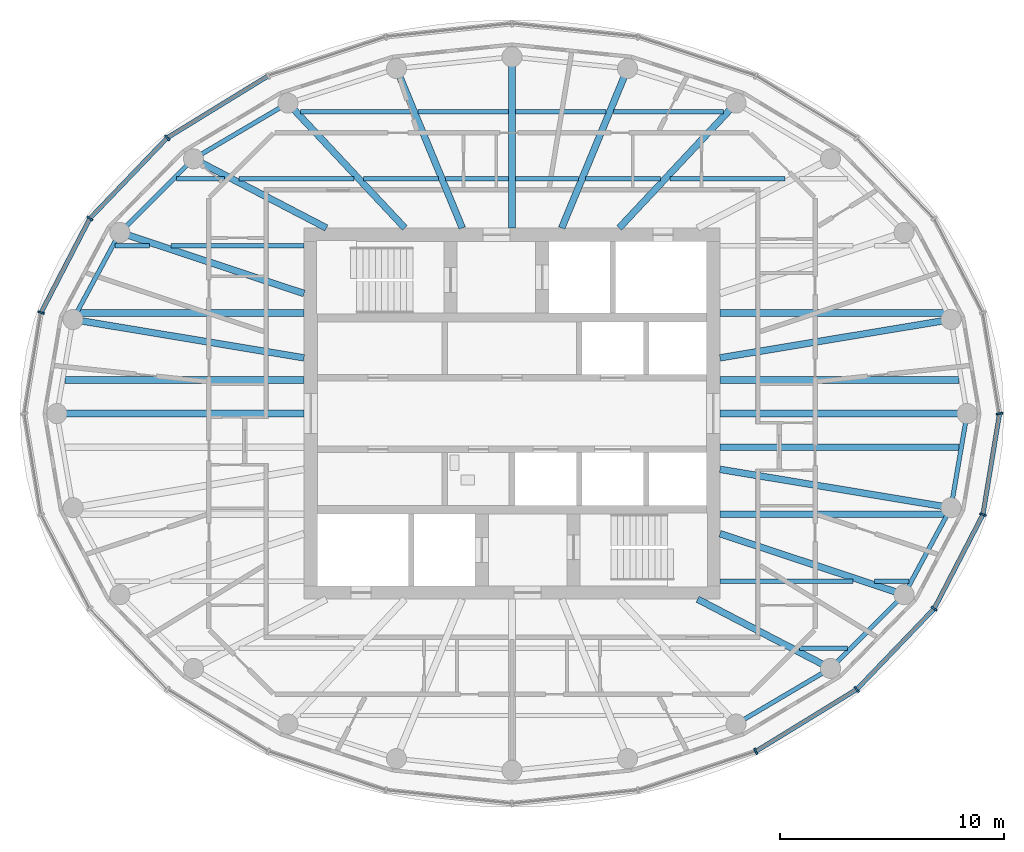
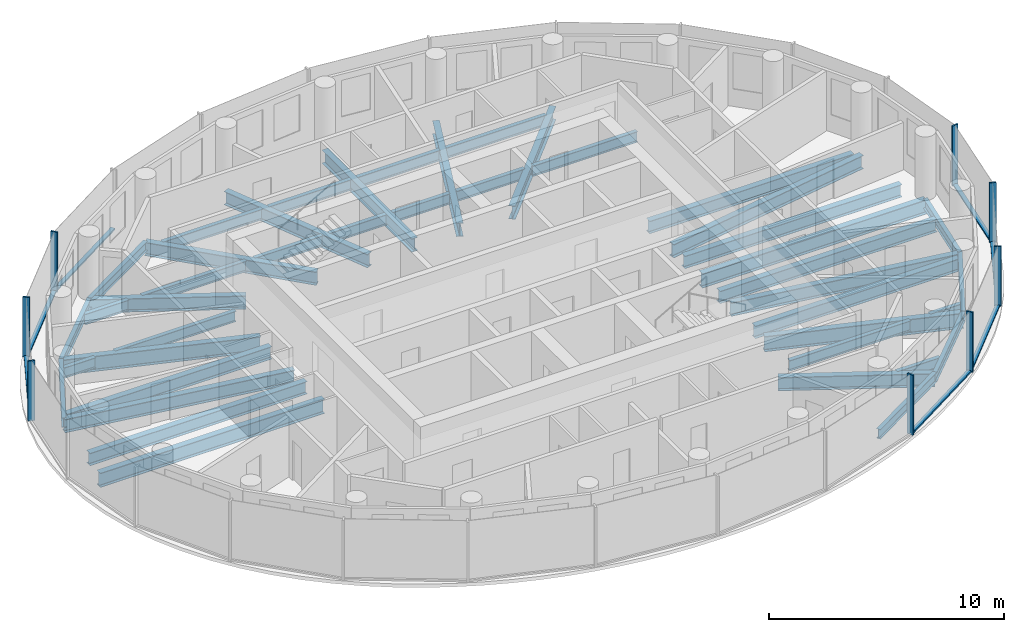
# One storey, part 2 of 12: 43 beams, 15 members, 3 elements without a shape of their own.
"""IFC4 building model written with IfcOpenShell, lengths in metres."""

from ifc_helpers import new_model, si_unit, direction, frame, origin, origin_2d, place, context, subcontext, project, spatial, rectangle, i_section, extrude, material, material_profile, profile_set, type_object, element, aggregate, save


model = new_model("IFC4")

# Units and contexts
model_context = context("Model", 3, precision=1e-05, world=origin(), true_north=direction((0.0, 1.0)))
body_context = subcontext(model_context, "Body", "Model", "MODEL_VIEW")
ifc_project = project(units=[si_unit("LENGTHUNIT", "METRE"), si_unit("AREAUNIT", "SQUARE_METRE"), si_unit("VOLUMEUNIT", "CUBIC_METRE"), si_unit("PLANEANGLEUNIT", "RADIAN"), si_unit("MASSUNIT", "GRAM", prefix="KILO")], contexts=[model_context])

# Site, building, storey
site_placement = place(None, origin())
site = spatial("IfcSite", under=ifc_project, at=site_placement, CompositionType="ELEMENT")
building_placement = place(site_placement, origin())
building = spatial("IfcBuilding", under=site, at=building_placement, Name="Hankou Lantern Tower", CompositionType="ELEMENT")
storey_placement = place(building_placement, frame((0.0, 0.0, 216.0)))
storey = spatial("IfcBuildingStorey", under=building, at=storey_placement, Name="L58", CompositionType="ELEMENT", Elevation=216.0)

# Beams
ifc_material_1 = material(Name="Steel Q355B", Category="steel")
ifc_material_profile_1 = material_profile(ifc_material_1, i_section(OverallWidth=0.199951171875, OverallDepth=0.5, WebThickness=0.010009765625, FlangeThickness=0.01611328125, FilletRadius=0.012939453125, at=origin_2d()), Name="HN500x200x10x16")
ifc_profile_set_1 = profile_set([ifc_material_profile_1], Name="Steel Q355B")
beam_type_1 = type_object("IfcBeamType", Name="EB5 RING BEAM HN500x200x10x16", PredefinedType="SPANDREL", material=ifc_profile_set_1)
beam_1_placement = place(storey_placement, frame((-10.01904296875, 13.8828125, -0.429931640625), z_axis=(-0.861422897323, -0.507888365655, 0.0), x_axis=(0.507888365655, -0.861422897323, 0.0)))
element("IfcBeam", 1, at=beam_1_placement, inside=storey, type_object=beam_type_1, Name="Ring beam R09-R10 L58", PredefinedType="SPANDREL", context=body_context, shape_type="SweptSolid", body=[
    extrude(i_section(OverallWidth=0.199951171875, OverallDepth=0.5, WebThickness=0.010009765625, FlangeThickness=0.01611328125, FilletRadius=0.012939453125, at=origin_2d()), origin(), (0.0, 0.0, 1.0), 4.901611328125),
])
beam_2_placement = place(storey_placement, frame((-14.241455078125, 11.393310546875, -0.429931640625), z_axis=(-0.706608588034, -0.707604623583, 0.0), x_axis=(0.707604623583, -0.706608588034, 0.0)))
element("IfcBeam", 2, at=beam_2_placement, inside=storey, type_object=beam_type_1, Name="Ring beam R10-R11 L58", PredefinedType="SPANDREL", context=body_context, shape_type="SweptSolid", body=[
    extrude(i_section(OverallWidth=0.199951171875, OverallDepth=0.5, WebThickness=0.010009765625, FlangeThickness=0.01611328125, FilletRadius=0.012939453125, at=origin_2d()), origin(), (0.0, 0.0, 1.0), 4.6572265625),
])
beam_3_placement = place(storey_placement, frame((-17.5322265625, 8.097900390625, -0.429931640625), z_axis=(-0.474491806611, -0.880259919262, 0.0), x_axis=(0.880259919262, -0.474491806611, 0.0)))
element("IfcBeam", 3, at=beam_3_placement, inside=storey, type_object=beam_type_1, Name="Ring beam R11-R12 L58", PredefinedType="SPANDREL", context=body_context, shape_type="SweptSolid", body=[
    extrude(i_section(OverallWidth=0.199951171875, OverallDepth=0.5, WebThickness=0.010009765625, FlangeThickness=0.01611328125, FilletRadius=0.012939453125, at=origin_2d()), origin(), (0.0, 0.0, 1.0), 4.419189453125),
])
beam_4_placement = place(storey_placement, frame((10.01904296875, -13.8828125, -0.429931640625), z_axis=(0.861422897323, 0.507888365655, 0.0), x_axis=(-0.507888365655, 0.861422897323, 0.0)))
element("IfcBeam", 4, at=beam_4_placement, inside=storey, type_object=beam_type_1, Name="Ring beam R21-R22 L58", PredefinedType="SPANDREL", context=body_context, shape_type="SweptSolid", body=[
    extrude(i_section(OverallWidth=0.199951171875, OverallDepth=0.5, WebThickness=0.010009765625, FlangeThickness=0.01611328125, FilletRadius=0.012939453125, at=origin_2d()), origin(), (0.0, 0.0, 1.0), 4.901611328125),
])
beam_5_placement = place(storey_placement, frame((14.241455078125, -11.393310546875, -0.429931640625), z_axis=(0.706608588034, 0.707604623583, 0.0), x_axis=(-0.707604623583, 0.706608588034, 0.0)))
element("IfcBeam", 5, at=beam_5_placement, inside=storey, type_object=beam_type_1, Name="Ring beam R22-R23 L58", PredefinedType="SPANDREL", context=body_context, shape_type="SweptSolid", body=[
    extrude(i_section(OverallWidth=0.199951171875, OverallDepth=0.5, WebThickness=0.010009765625, FlangeThickness=0.01611328125, FilletRadius=0.012939453125, at=origin_2d()), origin(), (0.0, 0.0, 1.0), 4.6572265625),
])
beam_6_placement = place(storey_placement, frame((17.5322265625, -8.097900390625, -0.429931640625), z_axis=(0.474491806611, 0.880259919262, 0.0), x_axis=(-0.880259919262, 0.474491806611, 0.0)))
element("IfcBeam", 6, at=beam_6_placement, inside=storey, type_object=beam_type_1, Name="Ring beam R23-R24 L58", PredefinedType="SPANDREL", context=body_context, shape_type="SweptSolid", body=[
    extrude(i_section(OverallWidth=0.199951171875, OverallDepth=0.5, WebThickness=0.010009765625, FlangeThickness=0.01611328125, FilletRadius=0.012939453125, at=origin_2d()), origin(), (0.0, 0.0, 1.0), 4.419189453125),
])
beam_7_placement = place(storey_placement, frame((19.629150390625, -4.207763671875, -0.429931640625), z_axis=(0.168876512999, 0.98563721691, 0.0), x_axis=(-0.98563721691, 0.168876512999, 0.0)))
element("IfcBeam", 7, at=beam_7_placement, inside=storey, type_object=beam_type_1, Name="Ring beam R24-R01 L58", PredefinedType="SPANDREL", context=body_context, shape_type="SweptSolid", body=[
    extrude(i_section(OverallWidth=0.199951171875, OverallDepth=0.5, WebThickness=0.010009765625, FlangeThickness=0.01611328125, FilletRadius=0.012939453125, at=origin_2d()), origin(), (0.0, 0.0, 1.0), 4.26904296875),
])

# Curtain wall, member
ifc_material_2 = material(Name="Glass, dark grey tinted laminated", Category="glass")
curtain_wall_type = type_object("IfcCurtainWallType", Name="CWD OUTER SKIN SUITE", PredefinedType="USERDEFINED", material=ifc_material_2)
curtain_wall_1_placement = place(storey_placement, origin())
curtain_wall_1 = element("IfcCurtainWall", 8, at=curtain_wall_1_placement, inside=storey, type_object=curtain_wall_type, Name="CWD L58 OS1", ObjectType="OUTER SKIN SUITE", PredefinedType="USERDEFINED")
ifc_material_3 = material(Name="Aluminium, black anodised", Category="aluminium")
ifc_material_profile_2 = material_profile(ifc_material_3, rectangle(XDim=0.080078125, YDim=0.300048828125, at=origin_2d()), Name="MU1 80X300")
ifc_profile_set_2 = profile_set([ifc_material_profile_2], Name="Aluminium, black anodised")
member_type_1 = type_object("IfcMemberType", Name="MU1 OUTER SKIN MULLION 80X300", PredefinedType="MULLION", material=ifc_profile_set_2)
member_1_placement = place(storey_placement, frame((21.800048828125, 0.0, 0.0), z_axis=(0.0, 0.0, 1.0), x_axis=(-0.162381515188, 0.986728049427, 0.0)))
member_1 = element("IfcMember", 9, at=member_1_placement, type_object=member_type_1, Name="CWD mullion 1", PredefinedType="MULLION", context=body_context, shape_type="SweptSolid", body=[
    extrude(rectangle(XDim=0.080078125, YDim=0.300048828125, at=origin_2d()), origin(), (0.0, 0.0, 1.0), 3.1201171875),
])
aggregate(curtain_wall_1, [member_1])

# Curtain wall, members
curtain_wall_2_placement = place(storey_placement, origin())
curtain_wall_2 = element("IfcCurtainWall", 10, at=curtain_wall_2_placement, inside=storey, type_object=curtain_wall_type, Name="CWD L58 OS2", ObjectType="OUTER SKIN SUITE", PredefinedType="USERDEFINED")
member_2_placement = place(storey_placement, frame((-15.4150390625, 12.33203125, 0.0), z_axis=(0.0, 0.0, 1.0), x_axis=(-0.780868809444, -0.624695047553, 0.0)))
member_2 = element("IfcMember", 11, at=member_2_placement, type_object=member_type_1, Name="CWD mullion 4", PredefinedType="MULLION", context=body_context, shape_type="SweptSolid", body=[
    extrude(rectangle(XDim=0.080078125, YDim=0.300048828125, at=origin_2d()), origin(), (0.0, 0.0, 1.0), 3.1201171875),
])
member_3_placement = place(storey_placement, frame((-18.87939453125, 8.719970703125, 0.0), z_axis=(0.0, 0.0, 1.0), x_axis=(-0.585205735974, -0.810884854084, 0.0)))
member_3 = element("IfcMember", 12, at=member_3_placement, type_object=member_type_1, Name="CWD mullion 5", PredefinedType="MULLION", context=body_context, shape_type="SweptSolid", body=[
    extrude(rectangle(XDim=0.080078125, YDim=0.300048828125, at=origin_2d()), origin(), (0.0, 0.0, 1.0), 3.1201171875),
])
member_4_placement = place(storey_placement, frame((-21.05712890625, 4.513916015625, 0.0), z_axis=(0.0, 0.0, 1.0), x_axis=(-0.317595577365, -0.94822626479, 0.0)))
member_4 = element("IfcMember", 13, at=member_4_placement, type_object=member_type_1, Name="CWD mullion 6", PredefinedType="MULLION", context=body_context, shape_type="SweptSolid", body=[
    extrude(rectangle(XDim=0.080078125, YDim=0.300048828125, at=origin_2d()), origin(), (0.0, 0.0, 1.0), 3.1201171875),
])

curtain_wall_3_placement = place(storey_placement, origin())
curtain_wall_3 = element("IfcCurtainWall", 14, at=curtain_wall_3_placement, inside=storey, type_object=curtain_wall_type, Name="CWD L58 OS4", ObjectType="OUTER SKIN SUITE", PredefinedType="USERDEFINED")
member_5_placement = place(storey_placement, frame((10.89990234375, -15.103515625, 0.0), z_axis=(0.0, 0.0, 1.0), x_axis=(0.907841299004, 0.419313934686, 0.0)))
member_5 = element("IfcMember", 15, at=member_5_placement, type_object=member_type_1, Name="CWD mullion 3", PredefinedType="MULLION", context=body_context, shape_type="SweptSolid", body=[
    extrude(rectangle(XDim=0.080078125, YDim=0.300048828125, at=origin_2d()), origin(), (0.0, 0.0, 1.0), 3.1201171875),
])
member_6_placement = place(storey_placement, frame((15.4150390625, -12.33203125, 0.0), z_axis=(0.0, 0.0, 1.0), x_axis=(0.780868809444, 0.624695047553, 0.0)))
member_6 = element("IfcMember", 16, at=member_6_placement, type_object=member_type_1, Name="CWD mullion 4", PredefinedType="MULLION", context=body_context, shape_type="SweptSolid", body=[
    extrude(rectangle(XDim=0.080078125, YDim=0.300048828125, at=origin_2d()), origin(), (0.0, 0.0, 1.0), 3.1201171875),
])
member_7_placement = place(storey_placement, frame((18.87939453125, -8.719970703125, 0.0), z_axis=(0.0, 0.0, 1.0), x_axis=(0.585205735974, 0.810884854084, 0.0)))
member_7 = element("IfcMember", 17, at=member_7_placement, type_object=member_type_1, Name="CWD mullion 5", PredefinedType="MULLION", context=body_context, shape_type="SweptSolid", body=[
    extrude(rectangle(XDim=0.080078125, YDim=0.300048828125, at=origin_2d()), origin(), (0.0, 0.0, 1.0), 3.1201171875),
])
member_8_placement = place(storey_placement, frame((21.05712890625, -4.513916015625, 0.0), z_axis=(0.0, 0.0, 1.0), x_axis=(0.317595577365, 0.94822626479, 0.0)))
member_8 = element("IfcMember", 18, at=member_8_placement, type_object=member_type_1, Name="CWD mullion 6", PredefinedType="MULLION", context=body_context, shape_type="SweptSolid", body=[
    extrude(rectangle(XDim=0.080078125, YDim=0.300048828125, at=origin_2d()), origin(), (0.0, 0.0, 1.0), 3.1201171875),
])

# Beams
ifc_material_4 = material(Name="Steel Q355B", Category="steel")
ifc_material_profile_3 = material_profile(ifc_material_4, i_section(OverallWidth=0.300048828125, OverallDepth=0.75, WebThickness=0.012939453125, FlangeThickness=0.02392578125, FilletRadius=0.01806640625, at=origin_2d()), Name="HN750x300x13x24")
ifc_profile_set_3 = profile_set([ifc_material_profile_3], Name="Steel Q355B")
beam_type_2 = type_object("IfcBeamType", Name="RB10 RADIAL BEAM HN750x300x13x24", PredefinedType="BEAM", material=ifc_profile_set_3)
for number, where, z_axis, x_axis, name in (
    (19, (9.300048828125, 0.0, -0.554931640625), (1.0, 0.0, 0.0), (0.0, 1.0, 0.0), "Radial beam R01 L58"),
    (20, (-9.300048828125, 0.0, -0.554931640625), (-1.0, 0.0, 0.0), (0.0, -1.0, 0.0), "Radial beam R13 L58"),
):
    element("IfcBeam", number, at=place(storey_placement, frame(where, z_axis=z_axis, x_axis=x_axis)), inside=storey, type_object=beam_type_2, Name=name, PredefinedType="BEAM", context=body_context, shape_type="SweptSolid", body=[
        extrude(i_section(OverallWidth=0.300048828125, OverallDepth=0.75, WebThickness=0.012939453125, FlangeThickness=0.02392578125, FilletRadius=0.01806640625, at=origin_2d()), origin(), (0.0, 0.0, 1.0), 11.050048828125),
    ])
ifc_material_5 = material(Name="Steel Q355B", Category="steel")
ifc_material_profile_4 = material_profile(ifc_material_5, i_section(OverallWidth=0.300048828125, OverallDepth=0.800048828125, WebThickness=0.013916015625, FlangeThickness=0.02587890625, FilletRadius=0.01806640625, at=origin_2d()), Name="HN800x300x14x26")
ifc_profile_set_4 = profile_set([ifc_material_profile_4], Name="Steel Q355B")
beam_type_3 = type_object("IfcBeamType", Name="RB11 RADIAL BEAM HN800x300x14x26", PredefinedType="BEAM", material=ifc_profile_set_4)
for number, where, z_axis, x_axis, name in (
    (21, (-9.300048828125, 5.369384765625, -0.580078125), (-0.949219608576, 0.314614263337, 0.0), (-0.314614263337, -0.949219608576, 0.0), "Radial beam R11 L58"),
    (22, (9.300048828125, -5.369384765625, -0.580078125), (0.949219608576, -0.314614263337, 0.0), (0.314614263337, 0.949219608576, 0.0), "Radial beam R23 L58"),
):
    element("IfcBeam", number, at=place(storey_placement, frame(where, z_axis=z_axis, x_axis=x_axis)), inside=storey, type_object=beam_type_3, Name=name, PredefinedType="BEAM", context=body_context, shape_type="SweptSolid", body=[
        extrude(i_section(OverallWidth=0.300048828125, OverallDepth=0.800048828125, WebThickness=0.013916015625, FlangeThickness=0.02587890625, FilletRadius=0.01806640625, at=origin_2d()), origin(), (0.0, 0.0, 1.0), 8.672607421875),
    ])
ifc_material_6 = material(Name="Steel Q355B", Category="steel")
ifc_material_profile_5 = material_profile(ifc_material_6, i_section(OverallWidth=0.300048828125, OverallDepth=0.699951171875, WebThickness=0.012939453125, FlangeThickness=0.02392578125, FilletRadius=0.01806640625, at=origin_2d()), Name="HN700x300x13x24")
ifc_profile_set_5 = profile_set([ifc_material_profile_5], Name="Steel Q355B")
beam_type_4 = type_object("IfcBeamType", Name="RB9 RADIAL BEAM HN700x300x13x24", PredefinedType="BEAM", material=ifc_profile_set_5)
beam_8_placement = place(storey_placement, frame((9.300048828125, 2.491943359375, -0.530029296875), z_axis=(0.986482007061, 0.163869612027, 0.0), x_axis=(-0.163869612027, 0.986482007061, 0.0)))
element("IfcBeam", 23, at=beam_8_placement, inside=storey, type_object=beam_type_4, Name="Radial beam R02 L58", PredefinedType="BEAM", context=body_context, shape_type="SweptSolid", body=[
    extrude(i_section(OverallWidth=0.300048828125, OverallDepth=0.699951171875, WebThickness=0.012939453125, FlangeThickness=0.02392578125, FilletRadius=0.01806640625, at=origin_2d()), origin(), (0.0, 0.0, 1.0), 10.470703125),
])
beam_9_placement = place(storey_placement, frame((4.7919921875, 8.300048828125, -0.530029296875), z_axis=(0.68346844743, 0.729980055459, 0.0), x_axis=(-0.729980055459, 0.68346844743, 0.0)))
element("IfcBeam", 24, at=beam_9_placement, inside=storey, type_object=beam_type_4, Name="Radial beam R05 L58", PredefinedType="BEAM", context=body_context, shape_type="SweptSolid", body=[
    extrude(i_section(OverallWidth=0.300048828125, OverallDepth=0.699951171875, WebThickness=0.012939453125, FlangeThickness=0.02392578125, FilletRadius=0.01806640625, at=origin_2d()), origin(), (0.0, 0.0, 1.0), 7.64794921875),
])
beam_10_placement = place(storey_placement, frame((2.223876953125, 8.300048828125, -0.530029296875), z_axis=(0.381706648123, 0.924283525104, 0.0), x_axis=(-0.924283525104, 0.381706648123, 0.0)))
element("IfcBeam", 25, at=beam_10_placement, inside=storey, type_object=beam_type_4, Name="Radial beam R06 L58", PredefinedType="BEAM", context=body_context, shape_type="SweptSolid", body=[
    extrude(i_section(OverallWidth=0.300048828125, OverallDepth=0.699951171875, WebThickness=0.012939453125, FlangeThickness=0.02392578125, FilletRadius=0.01806640625, at=origin_2d()), origin(), (0.0, 0.0, 1.0), 7.7109375),
])
beam_11_placement = place(storey_placement, frame((0.0, 8.300048828125, -0.530029296875), z_axis=(0.0, 1.0, 0.0), x_axis=(-1.0, 0.0, 0.0)))
element("IfcBeam", 26, at=beam_11_placement, inside=storey, type_object=beam_type_4, Name="Radial beam R07 L58", PredefinedType="BEAM", context=body_context, shape_type="SweptSolid", body=[
    extrude(i_section(OverallWidth=0.300048828125, OverallDepth=0.699951171875, WebThickness=0.012939453125, FlangeThickness=0.02392578125, FilletRadius=0.01806640625, at=origin_2d()), origin(), (0.0, 0.0, 1.0), 7.64990234375),
])
beam_12_placement = place(storey_placement, frame((-2.223876953125, 8.300048828125, -0.530029296875), z_axis=(-0.381706648123, 0.924283525104, 0.0), x_axis=(-0.924283525104, -0.381706648123, 0.0)))
element("IfcBeam", 27, at=beam_12_placement, inside=storey, type_object=beam_type_4, Name="Radial beam R08 L58", PredefinedType="BEAM", context=body_context, shape_type="SweptSolid", body=[
    extrude(i_section(OverallWidth=0.300048828125, OverallDepth=0.699951171875, WebThickness=0.012939453125, FlangeThickness=0.02392578125, FilletRadius=0.01806640625, at=origin_2d()), origin(), (0.0, 0.0, 1.0), 7.7109375),
])
beam_13_placement = place(storey_placement, frame((-4.7919921875, 8.300048828125, -0.530029296875), z_axis=(-0.68346844743, 0.729980055459, 0.0), x_axis=(-0.729980055459, -0.68346844743, 0.0)))
element("IfcBeam", 28, at=beam_13_placement, inside=storey, type_object=beam_type_4, Name="Radial beam R09 L58", PredefinedType="BEAM", context=body_context, shape_type="SweptSolid", body=[
    extrude(i_section(OverallWidth=0.300048828125, OverallDepth=0.699951171875, WebThickness=0.012939453125, FlangeThickness=0.02392578125, FilletRadius=0.01806640625, at=origin_2d()), origin(), (0.0, 0.0, 1.0), 7.64794921875),
])
beam_14_placement = place(storey_placement, frame((-8.300048828125, 8.300048828125, -0.530029296875), z_axis=(-0.886988734783, 0.461791061378, 0.0), x_axis=(-0.461791061378, -0.886988734783, 0.0)))
element("IfcBeam", 29, at=beam_14_placement, inside=storey, type_object=beam_type_4, Name="Radial beam R10 L58", PredefinedType="BEAM", context=body_context, shape_type="SweptSolid", body=[
    extrude(i_section(OverallWidth=0.300048828125, OverallDepth=0.699951171875, WebThickness=0.012939453125, FlangeThickness=0.02392578125, FilletRadius=0.01806640625, at=origin_2d()), origin(), (0.0, 0.0, 1.0), 6.698486328125),
])
beam_15_placement = place(storey_placement, frame((-9.300048828125, 2.491943359375, -0.530029296875), z_axis=(-0.986482007061, 0.163869612027, 0.0), x_axis=(-0.163869612027, -0.986482007061, 0.0)))
element("IfcBeam", 30, at=beam_15_placement, inside=storey, type_object=beam_type_4, Name="Radial beam R12 L58", PredefinedType="BEAM", context=body_context, shape_type="SweptSolid", body=[
    extrude(i_section(OverallWidth=0.300048828125, OverallDepth=0.699951171875, WebThickness=0.012939453125, FlangeThickness=0.02392578125, FilletRadius=0.01806640625, at=origin_2d()), origin(), (0.0, 0.0, 1.0), 10.470703125),
])
beam_16_placement = place(storey_placement, frame((8.300048828125, -8.300048828125, -0.530029296875), z_axis=(0.886988734783, -0.461791061378, 0.0), x_axis=(0.461791061378, 0.886988734783, 0.0)))
element("IfcBeam", 31, at=beam_16_placement, inside=storey, type_object=beam_type_4, Name="Radial beam R22 L58", PredefinedType="BEAM", context=body_context, shape_type="SweptSolid", body=[
    extrude(i_section(OverallWidth=0.300048828125, OverallDepth=0.699951171875, WebThickness=0.012939453125, FlangeThickness=0.02392578125, FilletRadius=0.01806640625, at=origin_2d()), origin(), (0.0, 0.0, 1.0), 6.698486328125),
])
beam_17_placement = place(storey_placement, frame((9.300048828125, -2.491943359375, -0.530029296875), z_axis=(0.986482007061, -0.163869612027, 0.0), x_axis=(0.163869612027, 0.986482007061, 0.0)))
element("IfcBeam", 32, at=beam_17_placement, inside=storey, type_object=beam_type_4, Name="Radial beam R24 L58", PredefinedType="BEAM", context=body_context, shape_type="SweptSolid", body=[
    extrude(i_section(OverallWidth=0.300048828125, OverallDepth=0.699951171875, WebThickness=0.012939453125, FlangeThickness=0.02392578125, FilletRadius=0.01806640625, at=origin_2d()), origin(), (0.0, 0.0, 1.0), 10.470703125),
])
ifc_material_7 = material(Name="Steel Q355B", Category="steel")
ifc_material_profile_6 = material_profile(ifc_material_7, i_section(OverallWidth=0.199951171875, OverallDepth=0.550048828125, WebThickness=0.010009765625, FlangeThickness=0.01611328125, FilletRadius=0.012939453125, at=origin_2d()), Name="HN550x200x10x16")
ifc_profile_set_6 = profile_set([ifc_material_profile_6], Name="Steel Q355B")
beam_type_5 = type_object("IfcBeamType", Name="SB6 SECONDARY BEAM HN550x200x10x16", PredefinedType="JOIST", material=ifc_profile_set_6)
beam_18_placement = place(storey_placement, frame((12.8505859375, -10.5, -0.455078125), z_axis=(1.0, 0.0, 0.0), x_axis=(0.0, 1.0, 0.0)))
element("IfcBeam", 33, at=beam_18_placement, inside=storey, type_object=beam_type_5, Name="Floor joist J012 L58", PredefinedType="JOIST", context=body_context, shape_type="SweptSolid", body=[
    extrude(i_section(OverallWidth=0.199951171875, OverallDepth=0.550048828125, WebThickness=0.010009765625, FlangeThickness=0.01611328125, FilletRadius=0.012939453125, at=origin_2d()), origin(), (0.0, 0.0, 1.0), 2.1416015625),
])
beam_19_placement = place(storey_placement, frame((9.300048828125, -7.5, -0.455078125), z_axis=(1.0, 0.0, 0.0), x_axis=(0.0, 1.0, 0.0)))
element("IfcBeam", 34, at=beam_19_placement, inside=storey, type_object=beam_type_5, Name="Floor joist J015 L58", PredefinedType="JOIST", context=body_context, shape_type="SweptSolid", body=[
    extrude(i_section(OverallWidth=0.199951171875, OverallDepth=0.550048828125, WebThickness=0.010009765625, FlangeThickness=0.01611328125, FilletRadius=0.012939453125, at=origin_2d()), origin(), (0.0, 0.0, 1.0), 5.95166015625),
])
for number, where, z_axis, x_axis, name in (
    (35, (16.205322265625, -7.5, -0.455078125), (1.0, 0.0, 0.0), (0.0, 1.0, 0.0), "Floor joist J016 L58"),
    (36, (-17.740966796875, 7.5, -0.455078125), (1.0, 0.0, 0.0), (0.0, 1.0, 0.0), "Floor joist J025 L58"),
):
    element("IfcBeam", number, at=place(storey_placement, frame(where, z_axis=z_axis, x_axis=x_axis)), inside=storey, type_object=beam_type_5, Name=name, PredefinedType="JOIST", context=body_context, shape_type="SweptSolid", body=[
        extrude(i_section(OverallWidth=0.199951171875, OverallDepth=0.550048828125, WebThickness=0.010009765625, FlangeThickness=0.01611328125, FilletRadius=0.012939453125, at=origin_2d()), origin(), (0.0, 0.0, 1.0), 1.53564453125),
    ])
beam_20_placement = place(storey_placement, frame((-15.251708984375, 7.5, -0.455078125), z_axis=(1.0, 0.0, 0.0), x_axis=(0.0, 1.0, 0.0)))
element("IfcBeam", 37, at=beam_20_placement, inside=storey, type_object=beam_type_5, Name="Floor joist J026 L58", PredefinedType="JOIST", context=body_context, shape_type="SweptSolid", body=[
    extrude(i_section(OverallWidth=0.199951171875, OverallDepth=0.550048828125, WebThickness=0.010009765625, FlangeThickness=0.01611328125, FilletRadius=0.012939453125, at=origin_2d()), origin(), (0.0, 0.0, 1.0), 5.95166015625),
])
beam_21_placement = place(storey_placement, frame((-14.9921875, 10.5, -0.455078125), z_axis=(1.0, 0.0, 0.0), x_axis=(0.0, 1.0, 0.0)))
element("IfcBeam", 38, at=beam_21_placement, inside=storey, type_object=beam_type_5, Name="Floor joist J029 L58", PredefinedType="JOIST", context=body_context, shape_type="SweptSolid", body=[
    extrude(i_section(OverallWidth=0.199951171875, OverallDepth=0.550048828125, WebThickness=0.010009765625, FlangeThickness=0.01611328125, FilletRadius=0.012939453125, at=origin_2d()), origin(), (0.0, 0.0, 1.0), 2.1416015625),
])
beam_22_placement = place(storey_placement, frame((-12.200927734375, 10.5, -0.455078125), z_axis=(1.0, 0.0, 0.0), x_axis=(0.0, 1.0, 0.0)))
element("IfcBeam", 39, at=beam_22_placement, inside=storey, type_object=beam_type_5, Name="Floor joist J030 L58", PredefinedType="JOIST", context=body_context, shape_type="SweptSolid", body=[
    extrude(i_section(OverallWidth=0.199951171875, OverallDepth=0.550048828125, WebThickness=0.010009765625, FlangeThickness=0.01611328125, FilletRadius=0.012939453125, at=origin_2d()), origin(), (0.0, 0.0, 1.0), 5.1435546875),
])
beam_23_placement = place(storey_placement, frame((-6.646240234375, 10.5, -0.455078125), z_axis=(1.0, 0.0, 0.0), x_axis=(0.0, 1.0, 0.0)))
element("IfcBeam", 40, at=beam_23_placement, inside=storey, type_object=beam_type_5, Name="Floor joist J031 L58", PredefinedType="JOIST", context=body_context, shape_type="SweptSolid", body=[
    extrude(i_section(OverallWidth=0.199951171875, OverallDepth=0.550048828125, WebThickness=0.010009765625, FlangeThickness=0.01611328125, FilletRadius=0.012939453125, at=origin_2d()), origin(), (0.0, 0.0, 1.0), 3.3515625),
])
for number, where, z_axis, x_axis, name in (
    (41, (-2.97021484375, 10.5, -0.455078125), (1.0, 0.0, 0.0), (0.0, 1.0, 0.0), "Floor joist J032 L58"),
    (42, (0.14990234375, 10.5, -0.455078125), (1.0, 0.0, 0.0), (0.0, 1.0, 0.0), "Floor joist J033 L58"),
):
    element("IfcBeam", number, at=place(storey_placement, frame(where, z_axis=z_axis, x_axis=x_axis)), inside=storey, type_object=beam_type_5, Name=name, PredefinedType="JOIST", context=body_context, shape_type="SweptSolid", body=[
        extrude(i_section(OverallWidth=0.199951171875, OverallDepth=0.550048828125, WebThickness=0.010009765625, FlangeThickness=0.01611328125, FilletRadius=0.012939453125, at=origin_2d()), origin(), (0.0, 0.0, 1.0), 2.8203125),
    ])
beam_24_placement = place(storey_placement, frame((3.294677734375, 10.5, -0.455078125), z_axis=(1.0, 0.0, 0.0), x_axis=(0.0, 1.0, 0.0)))
element("IfcBeam", 43, at=beam_24_placement, inside=storey, type_object=beam_type_5, Name="Floor joist J034 L58", PredefinedType="JOIST", context=body_context, shape_type="SweptSolid", body=[
    extrude(i_section(OverallWidth=0.199951171875, OverallDepth=0.550048828125, WebThickness=0.010009765625, FlangeThickness=0.01611328125, FilletRadius=0.012939453125, at=origin_2d()), origin(), (0.0, 0.0, 1.0), 3.3515625),
])
beam_25_placement = place(storey_placement, frame((7.057373046875, 10.5, -0.455078125), z_axis=(1.0, 0.0, 0.0), x_axis=(0.0, 1.0, 0.0)))
element("IfcBeam", 44, at=beam_25_placement, inside=storey, type_object=beam_type_5, Name="Floor joist J035 L58", PredefinedType="JOIST", context=body_context, shape_type="SweptSolid", body=[
    extrude(i_section(OverallWidth=0.199951171875, OverallDepth=0.550048828125, WebThickness=0.010009765625, FlangeThickness=0.01611328125, FilletRadius=0.012939453125, at=origin_2d()), origin(), (0.0, 0.0, 1.0), 5.1435546875),
])
beam_26_placement = place(storey_placement, frame((-9.455078125, 13.5, -0.455078125), z_axis=(1.0, 0.0, 0.0), x_axis=(0.0, 1.0, 0.0)))
element("IfcBeam", 45, at=beam_26_placement, inside=storey, type_object=beam_type_5, Name="Floor joist J037 L58", PredefinedType="JOIST", context=body_context, shape_type="SweptSolid", body=[
    extrude(i_section(OverallWidth=0.199951171875, OverallDepth=0.550048828125, WebThickness=0.010009765625, FlangeThickness=0.01611328125, FilletRadius=0.012939453125, at=origin_2d()), origin(), (0.0, 0.0, 1.0), 4.92138671875),
])
for number, where, z_axis, x_axis, name in (
    (46, (-4.208984375, 13.5, -0.455078125), (1.0, 0.0, 0.0), (0.0, 1.0, 0.0), "Floor joist J038 L58"),
    (47, (0.14990234375, 13.5, -0.455078125), (1.0, 0.0, 0.0), (0.0, 1.0, 0.0), "Floor joist J039 L58"),
):
    element("IfcBeam", number, at=place(storey_placement, frame(where, z_axis=z_axis, x_axis=x_axis)), inside=storey, type_object=beam_type_5, Name=name, PredefinedType="JOIST", context=body_context, shape_type="SweptSolid", body=[
        extrude(i_section(OverallWidth=0.199951171875, OverallDepth=0.550048828125, WebThickness=0.010009765625, FlangeThickness=0.01611328125, FilletRadius=0.012939453125, at=origin_2d()), origin(), (0.0, 0.0, 1.0), 4.05908203125),
    ])
beam_27_placement = place(storey_placement, frame((4.53369140625, 13.5, -0.455078125), z_axis=(1.0, 0.0, 0.0), x_axis=(0.0, 1.0, 0.0)))
element("IfcBeam", 48, at=beam_27_placement, inside=storey, type_object=beam_type_5, Name="Floor joist J040 L58", PredefinedType="JOIST", context=body_context, shape_type="SweptSolid", body=[
    extrude(i_section(OverallWidth=0.199951171875, OverallDepth=0.550048828125, WebThickness=0.010009765625, FlangeThickness=0.01611328125, FilletRadius=0.012939453125, at=origin_2d()), origin(), (0.0, 0.0, 1.0), 4.92138671875),
])
ifc_material_8 = material(Name="Steel Q355B", Category="steel")
ifc_material_profile_7 = material_profile(ifc_material_8, i_section(OverallWidth=0.300048828125, OverallDepth=0.64990234375, WebThickness=0.010986328125, FlangeThickness=0.01708984375, FilletRadius=0.01806640625, at=origin_2d()), Name="HN650x300x11x17")
ifc_profile_set_7 = profile_set([ifc_material_profile_7], Name="Steel Q355B")
beam_type_6 = type_object("IfcBeamType", Name="SB8 SECONDARY BEAM HN650x300x11x17", PredefinedType="JOIST", material=ifc_profile_set_7)
beam_28_placement = place(storey_placement, frame((9.300048828125, -4.5, -0.5048828125), z_axis=(1.0, 0.0, 0.0), x_axis=(0.0, 1.0, 0.0)))
element("IfcBeam", 49, at=beam_28_placement, inside=storey, type_object=beam_type_6, Name="Floor joist J018 L58", PredefinedType="JOIST", context=body_context, shape_type="SweptSolid", body=[
    extrude(i_section(OverallWidth=0.300048828125, OverallDepth=0.64990234375, WebThickness=0.010986328125, FlangeThickness=0.01708984375, FilletRadius=0.01806640625, at=origin_2d()), origin(), (0.0, 0.0, 1.0), 10.057861328125),
])
for number, where, z_axis, x_axis, name in (
    (50, (9.300048828125, -1.5, -0.5048828125), (1.0, 0.0, 0.0), (0.0, 1.0, 0.0), "Floor joist J020 L58"),
    (51, (-19.991455078125, 1.5, -0.5048828125), (1.0, 0.0, 0.0), (0.0, 1.0, 0.0), "Floor joist J021 L58"),
    (52, (9.300048828125, 1.5, -0.5048828125), (1.0, 0.0, 0.0), (0.0, 1.0, 0.0), "Floor joist J022 L58"),
):
    element("IfcBeam", number, at=place(storey_placement, frame(where, z_axis=z_axis, x_axis=x_axis)), inside=storey, type_object=beam_type_6, Name=name, PredefinedType="JOIST", context=body_context, shape_type="SweptSolid", body=[
        extrude(i_section(OverallWidth=0.300048828125, OverallDepth=0.64990234375, WebThickness=0.010986328125, FlangeThickness=0.01708984375, FilletRadius=0.01806640625, at=origin_2d()), origin(), (0.0, 0.0, 1.0), 10.69140625),
    ])
for number, where, z_axis, x_axis, name in (
    (53, (-19.35791015625, 4.5, -0.5048828125), (1.0, 0.0, 0.0), (0.0, 1.0, 0.0), "Floor joist J023 L58"),
    (54, (9.300048828125, 4.5, -0.5048828125), (1.0, 0.0, 0.0), (0.0, 1.0, 0.0), "Floor joist J024 L58"),
):
    element("IfcBeam", number, at=place(storey_placement, frame(where, z_axis=z_axis, x_axis=x_axis)), inside=storey, type_object=beam_type_6, Name=name, PredefinedType="JOIST", context=body_context, shape_type="SweptSolid", body=[
        extrude(i_section(OverallWidth=0.300048828125, OverallDepth=0.64990234375, WebThickness=0.010986328125, FlangeThickness=0.01708984375, FilletRadius=0.01806640625, at=origin_2d()), origin(), (0.0, 0.0, 1.0), 10.057861328125),
    ])

# Member
ifc_material_9 = material(Name="Aluminium, black anodised", Category="aluminium")
ifc_material_profile_8 = material_profile(ifc_material_9, rectangle(XDim=0.199951171875, YDim=0.080078125, at=origin_2d()), Name="TR1 200X80")
ifc_profile_set_8 = profile_set([ifc_material_profile_8], Name="Aluminium, black anodised")
member_type_2 = type_object("IfcMemberType", Name="TR1 OUTER SKIN TRANSOM 200X80", PredefinedType="USERDEFINED", material=ifc_profile_set_8)
member_9_placement = place(storey_placement, frame((-10.93408203125, 15.08251953125, 0.0400390625), z_axis=(-0.852234544008, -0.523159900986, 0.0), x_axis=(0.523159900986, -0.852234544008, 0.0)))
member_9 = element("IfcMember", 55, at=member_9_placement, type_object=member_type_2, Name="CWD transom 3", ObjectType="TRANSOM", PredefinedType="USERDEFINED", context=body_context, shape_type="SweptSolid", body=[
    extrude(rectangle(XDim=0.199951171875, YDim=0.080078125, at=origin_2d()), origin(), (0.0, 0.0, 1.0), 5.2177734375),
])

member_10_placement = place(storey_placement, frame((-15.442626953125, 12.302978515625, 0.0400390625), z_axis=(-0.692204633274, -0.721701285626, 0.0), x_axis=(0.721701285626, -0.692204633274, 0.0)))
member_10 = element("IfcMember", 56, at=member_10_placement, type_object=member_type_2, Name="CWD transom 4", ObjectType="TRANSOM", PredefinedType="USERDEFINED", context=body_context, shape_type="SweptSolid", body=[
    extrude(rectangle(XDim=0.199951171875, YDim=0.080078125, at=origin_2d()), origin(), (0.0, 0.0, 1.0), 4.9248046875),
])

member_11_placement = place(storey_placement, frame((-18.897705078125, 8.6845703125, 0.0400390625), z_axis=(-0.45979371115, -0.888025755925, 0.0), x_axis=(0.888025755925, -0.45979371115, 0.0)))
member_11 = element("IfcMember", 57, at=member_11_placement, type_object=member_type_2, Name="CWD transom 5", ObjectType="TRANSOM", PredefinedType="USERDEFINED", context=body_context, shape_type="SweptSolid", body=[
    extrude(rectangle(XDim=0.199951171875, YDim=0.080078125, at=origin_2d()), origin(), (0.0, 0.0, 1.0), 4.65673828125),
])

aggregate(curtain_wall_2, [member_2, member_3, member_4, member_9, member_10, member_11])

member_12_placement = place(storey_placement, frame((10.93408203125, -15.08251953125, 0.0400390625), z_axis=(0.852234544008, 0.523159900986, 0.0), x_axis=(-0.523159900986, 0.852234544008, 0.0)))
member_12 = element("IfcMember", 58, at=member_12_placement, type_object=member_type_2, Name="CWD transom 3", ObjectType="TRANSOM", PredefinedType="USERDEFINED", context=body_context, shape_type="SweptSolid", body=[
    extrude(rectangle(XDim=0.199951171875, YDim=0.080078125, at=origin_2d()), origin(), (0.0, 0.0, 1.0), 5.2177734375),
])

member_13_placement = place(storey_placement, frame((15.442626953125, -12.302978515625, 0.0400390625), z_axis=(0.692204633274, 0.721701285626, 0.0), x_axis=(-0.721701285626, 0.692204633274, 0.0)))
member_13 = element("IfcMember", 59, at=member_13_placement, type_object=member_type_2, Name="CWD transom 4", ObjectType="TRANSOM", PredefinedType="USERDEFINED", context=body_context, shape_type="SweptSolid", body=[
    extrude(rectangle(XDim=0.199951171875, YDim=0.080078125, at=origin_2d()), origin(), (0.0, 0.0, 1.0), 4.9248046875),
])

member_14_placement = place(storey_placement, frame((18.897705078125, -8.6845703125, 0.0400390625), z_axis=(0.45979371115, 0.888025755925, 0.0), x_axis=(-0.888025755925, 0.45979371115, 0.0)))
member_14 = element("IfcMember", 60, at=member_14_placement, type_object=member_type_2, Name="CWD transom 5", ObjectType="TRANSOM", PredefinedType="USERDEFINED", context=body_context, shape_type="SweptSolid", body=[
    extrude(rectangle(XDim=0.199951171875, YDim=0.080078125, at=origin_2d()), origin(), (0.0, 0.0, 1.0), 4.65673828125),
])

member_15_placement = place(storey_placement, frame((21.063720703125, -4.474365234375, 0.0400390625), z_axis=(0.162363822839, 0.986730960816, 0.0), x_axis=(-0.986730960816, 0.162363822839, 0.0)))
member_15 = element("IfcMember", 61, at=member_15_placement, type_object=member_type_2, Name="CWD transom 6", ObjectType="TRANSOM", PredefinedType="USERDEFINED", context=body_context, shape_type="SweptSolid", body=[
    extrude(rectangle(XDim=0.199951171875, YDim=0.080078125, at=origin_2d()), origin(), (0.0, 0.0, 1.0), 4.494384765625),
])

aggregate(curtain_wall_3, [member_5, member_6, member_7, member_8, member_12, member_13, member_14, member_15])

save(model, "model.ifc")
